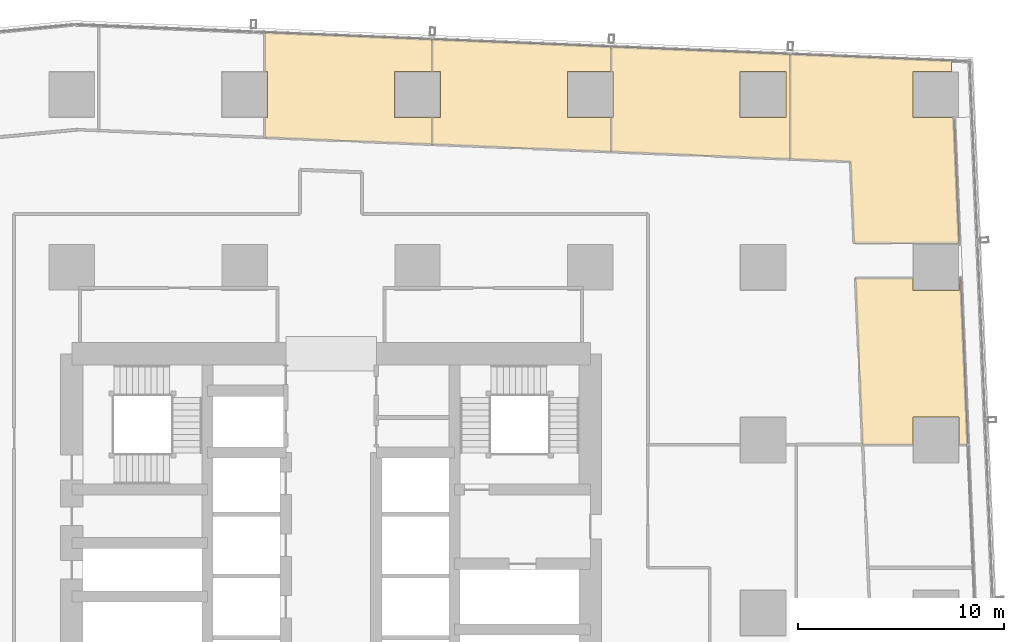
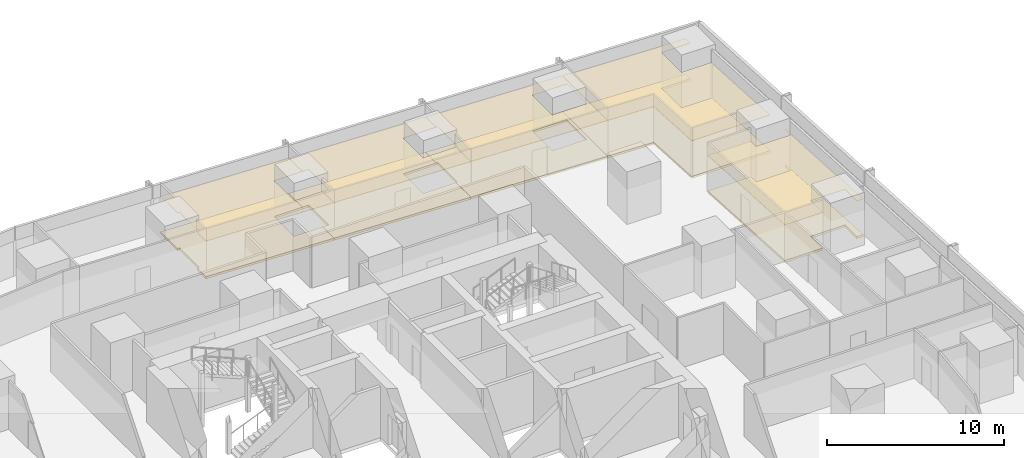
# One storey, part 44 of 44: 10 coverings.
"""IFC4 building model written with IfcOpenShell, lengths in metres."""

from ifc_helpers import new_model, si_unit, direction, frame, origin, place, context, subcontext, project, spatial, polyline, outline, extrude, material, layer, layer_set, type_object, element, save


model = new_model("IFC4")

# Units and contexts
model_context = context("Model", 3, precision=1e-05, world=origin(), true_north=direction((0.0, 1.0)))
body_context = subcontext(model_context, "Body", "Model", "MODEL_VIEW")
ifc_project = project(units=[si_unit("LENGTHUNIT", "METRE"), si_unit("AREAUNIT", "SQUARE_METRE"), si_unit("VOLUMEUNIT", "CUBIC_METRE"), si_unit("PLANEANGLEUNIT", "RADIAN"), si_unit("MASSUNIT", "GRAM", prefix="KILO")], contexts=[model_context])

# Site, building, storey
site_placement = place(None, origin())
site = spatial("IfcSite", under=ifc_project, at=site_placement, CompositionType="ELEMENT")
building_placement = place(site_placement, origin())
building = spatial("IfcBuilding", under=site, at=building_placement, Name="Rekha Terrace Tower", CompositionType="ELEMENT")
storey_placement = place(building_placement, frame((0.0, 0.0, 62.89990234375)))
storey = spatial("IfcBuildingStorey", under=building, at=storey_placement, Name="L15", CompositionType="ELEMENT", Elevation=62.89990234375)

# Coverings
ifc_material_1 = material(Name="Mineral fibre tile in exposed grid", Category="finish")
ifc_layer_1 = layer(ifc_material_1, 0.02001953125)
ifc_layer_set_1 = layer_set([ifc_layer_1], Name="Mineral fibre tile in exposed grid")
covering_type_1 = type_object("IfcCoveringType", Name="CL1 600x1200 office grid ceiling", PredefinedType="CEILING", material=ifc_layer_set_1)
covering_1_placement = place(storey_placement, frame((0.0, 0.0, 2.580078125)))
element("IfcCovering", 1, at=covering_1_placement, inside=storey, type_object=covering_type_1, Name="Ceiling L15-13", PredefinedType="CEILING", context=body_context, shape_type="SweptSolid", body=[
    extrude(outline(polyline([(66.0849609375, 49.284912109375), (66.0849609375, 49.87890625), (63.29296875, 49.87890625), (63.638916015625, 41.781982421875), (66.0849609375, 41.781982421875), (66.0849609375, 43.114990234375), (68.31494140625, 43.114990234375), (68.31494140625, 41.781982421875), (68.742919921875, 41.781982421875), (68.39697265625, 49.87890625), (68.31494140625, 49.87890625), (68.31494140625, 49.284912109375), (66.0849609375, 49.284912109375)])), origin(), (0.0, 0.0, 1.0), 0.02001953125),
])
covering_2_placement = place(storey_placement, frame((0.0, 0.0, 2.580078125)))
element("IfcCovering", 2, at=covering_2_placement, inside=storey, type_object=covering_type_1, Name="Ceiling L15-14", PredefinedType="CEILING", context=body_context, shape_type="SweptSolid", body=[
    extrude(outline(polyline([(67.946044921875, 60.443115234375), (60.112060546875, 60.76611328125), (60.112060546875, 55.662109375), (63.051025390625, 55.5400390625), (63.220947265625, 51.556884765625), (68.325927734375, 51.556884765625), (68.06396484375, 57.68505859375), (66.0849609375, 57.68505859375), (66.0849609375, 59.9150390625), (67.968994140625, 59.9150390625), (67.946044921875, 60.443115234375)])), origin(), (0.0, 0.0, 1.0), 0.02001953125),
])
covering_3_placement = place(storey_placement, frame((0.0, 0.0, 2.580078125)))
element("IfcCovering", 3, at=covering_3_placement, inside=storey, type_object=covering_type_1, Name="Ceiling L15-15", PredefinedType="CEILING", context=body_context, shape_type="SweptSolid", body=[
    extrude(outline(polyline([(60.111083984375, 55.662109375), (60.111083984375, 60.76611328125), (51.416015625, 61.1240234375), (51.416015625, 59.9150390625), (51.514892578125, 59.9150390625), (51.514892578125, 57.68505859375), (51.416015625, 57.68505859375), (51.416015625, 56.02001953125), (60.111083984375, 55.662109375)]), holes=[polyline([(59.9150390625, 57.68505859375), (57.68505859375, 57.68505859375), (57.68505859375, 59.9150390625), (59.9150390625, 59.9150390625), (59.9150390625, 57.68505859375)])]), origin(), (0.0, 0.0, 1.0), 0.02001953125),
])
covering_4_placement = place(storey_placement, frame((0.0, 0.0, 2.580078125)))
element("IfcCovering", 4, at=covering_4_placement, inside=storey, type_object=covering_type_1, Name="Ceiling L15-16", PredefinedType="CEILING", context=body_context, shape_type="SweptSolid", body=[
    extrude(outline(polyline([(51.4150390625, 59.9150390625), (51.4150390625, 61.125), (42.718994140625, 61.48291015625), (42.718994140625, 59.9150390625), (43.114990234375, 59.9150390625), (43.114990234375, 57.68505859375), (42.718994140625, 57.68505859375), (42.718994140625, 56.37890625), (51.4150390625, 56.02001953125), (51.4150390625, 57.68505859375), (49.284912109375, 57.68505859375), (49.284912109375, 59.9150390625), (51.4150390625, 59.9150390625)])), origin(), (0.0, 0.0, 1.0), 0.02001953125),
])
covering_5_placement = place(storey_placement, frame((0.0, 0.0, 2.580078125)))
element("IfcCovering", 5, at=covering_5_placement, inside=storey, type_object=covering_type_1, Name="Ceiling L15-17", PredefinedType="CEILING", context=body_context, shape_type="SweptSolid", body=[
    extrude(outline(polyline([(42.718017578125, 59.9150390625), (42.718017578125, 61.48291015625), (34.583984375, 61.818115234375), (34.583984375, 59.9150390625), (34.715087890625, 59.9150390625), (34.715087890625, 57.68505859375), (34.583984375, 57.68505859375), (34.583984375, 56.714111328125), (42.718017578125, 56.37890625), (42.718017578125, 57.68505859375), (40.885009765625, 57.68505859375), (40.885009765625, 59.9150390625), (42.718017578125, 59.9150390625)])), origin(), (0.0, 0.0, 1.0), 0.02001953125),
])
ifc_material_2 = material(Name="Calcium sulphate panels on steel pedestals", Category="steel")
ifc_layer_2 = layer(ifc_material_2, 0.14990234375)
ifc_layer_set_2 = layer_set([ifc_layer_2], Name="Calcium sulphate panels on steel pedestals")
covering_type_2 = type_object("IfcCoveringType", Name="RF1 150 raised access floor", PredefinedType="FLOORING", material=ifc_layer_set_2)
covering_6_placement = place(storey_placement, origin())
element("IfcCovering", 6, at=covering_6_placement, inside=storey, type_object=covering_type_2, Name="Raised floor L15-13", PredefinedType="FLOORING", context=body_context, shape_type="SweptSolid", body=[
    extrude(outline(polyline([(66.0849609375, 49.284912109375), (66.0849609375, 49.87890625), (63.29296875, 49.87890625), (63.638916015625, 41.781982421875), (66.0849609375, 41.781982421875), (66.0849609375, 43.114990234375), (68.31494140625, 43.114990234375), (68.31494140625, 41.781982421875), (68.742919921875, 41.781982421875), (68.39697265625, 49.87890625), (68.31494140625, 49.87890625), (68.31494140625, 49.284912109375), (66.0849609375, 49.284912109375)])), origin(), (0.0, 0.0, 1.0), 0.150146484375),
])
covering_7_placement = place(storey_placement, origin())
element("IfcCovering", 7, at=covering_7_placement, inside=storey, type_object=covering_type_2, Name="Raised floor L15-14", PredefinedType="FLOORING", context=body_context, shape_type="SweptSolid", body=[
    extrude(outline(polyline([(67.946044921875, 60.443115234375), (60.112060546875, 60.76611328125), (60.112060546875, 55.662109375), (63.051025390625, 55.5400390625), (63.220947265625, 51.556884765625), (68.325927734375, 51.556884765625), (68.06396484375, 57.68505859375), (66.0849609375, 57.68505859375), (66.0849609375, 59.9150390625), (67.968994140625, 59.9150390625), (67.946044921875, 60.443115234375)])), origin(), (0.0, 0.0, 1.0), 0.150146484375),
])
covering_8_placement = place(storey_placement, origin())
element("IfcCovering", 8, at=covering_8_placement, inside=storey, type_object=covering_type_2, Name="Raised floor L15-15", PredefinedType="FLOORING", context=body_context, shape_type="SweptSolid", body=[
    extrude(outline(polyline([(60.111083984375, 55.662109375), (60.111083984375, 60.76611328125), (51.416015625, 61.1240234375), (51.416015625, 59.9150390625), (51.514892578125, 59.9150390625), (51.514892578125, 57.68505859375), (51.416015625, 57.68505859375), (51.416015625, 56.02001953125), (60.111083984375, 55.662109375)]), holes=[polyline([(59.9150390625, 57.68505859375), (57.68505859375, 57.68505859375), (57.68505859375, 59.9150390625), (59.9150390625, 59.9150390625), (59.9150390625, 57.68505859375)])]), origin(), (0.0, 0.0, 1.0), 0.150146484375),
])
covering_9_placement = place(storey_placement, origin())
element("IfcCovering", 9, at=covering_9_placement, inside=storey, type_object=covering_type_2, Name="Raised floor L15-16", PredefinedType="FLOORING", context=body_context, shape_type="SweptSolid", body=[
    extrude(outline(polyline([(51.4150390625, 59.9150390625), (51.4150390625, 61.125), (42.718994140625, 61.48291015625), (42.718994140625, 59.9150390625), (43.114990234375, 59.9150390625), (43.114990234375, 57.68505859375), (42.718994140625, 57.68505859375), (42.718994140625, 56.37890625), (51.4150390625, 56.02001953125), (51.4150390625, 57.68505859375), (49.284912109375, 57.68505859375), (49.284912109375, 59.9150390625), (51.4150390625, 59.9150390625)])), origin(), (0.0, 0.0, 1.0), 0.150146484375),
])
covering_10_placement = place(storey_placement, origin())
element("IfcCovering", 10, at=covering_10_placement, inside=storey, type_object=covering_type_2, Name="Raised floor L15-17", PredefinedType="FLOORING", context=body_context, shape_type="SweptSolid", body=[
    extrude(outline(polyline([(42.718017578125, 59.9150390625), (42.718017578125, 61.48291015625), (34.583984375, 61.818115234375), (34.583984375, 59.9150390625), (34.715087890625, 59.9150390625), (34.715087890625, 57.68505859375), (34.583984375, 57.68505859375), (34.583984375, 56.714111328125), (42.718017578125, 56.37890625), (42.718017578125, 57.68505859375), (40.885009765625, 57.68505859375), (40.885009765625, 59.9150390625), (42.718017578125, 59.9150390625)])), origin(), (0.0, 0.0, 1.0), 0.150146484375),
])

save(model, "model.ifc")
